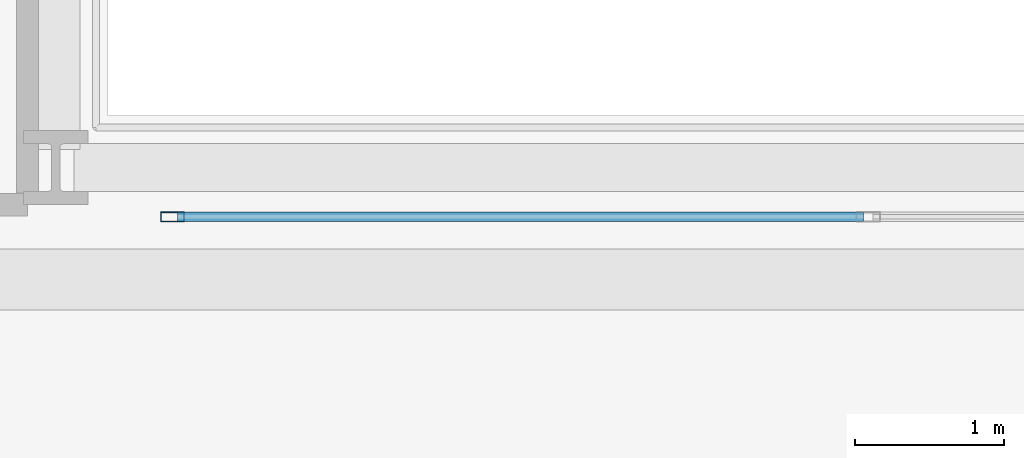
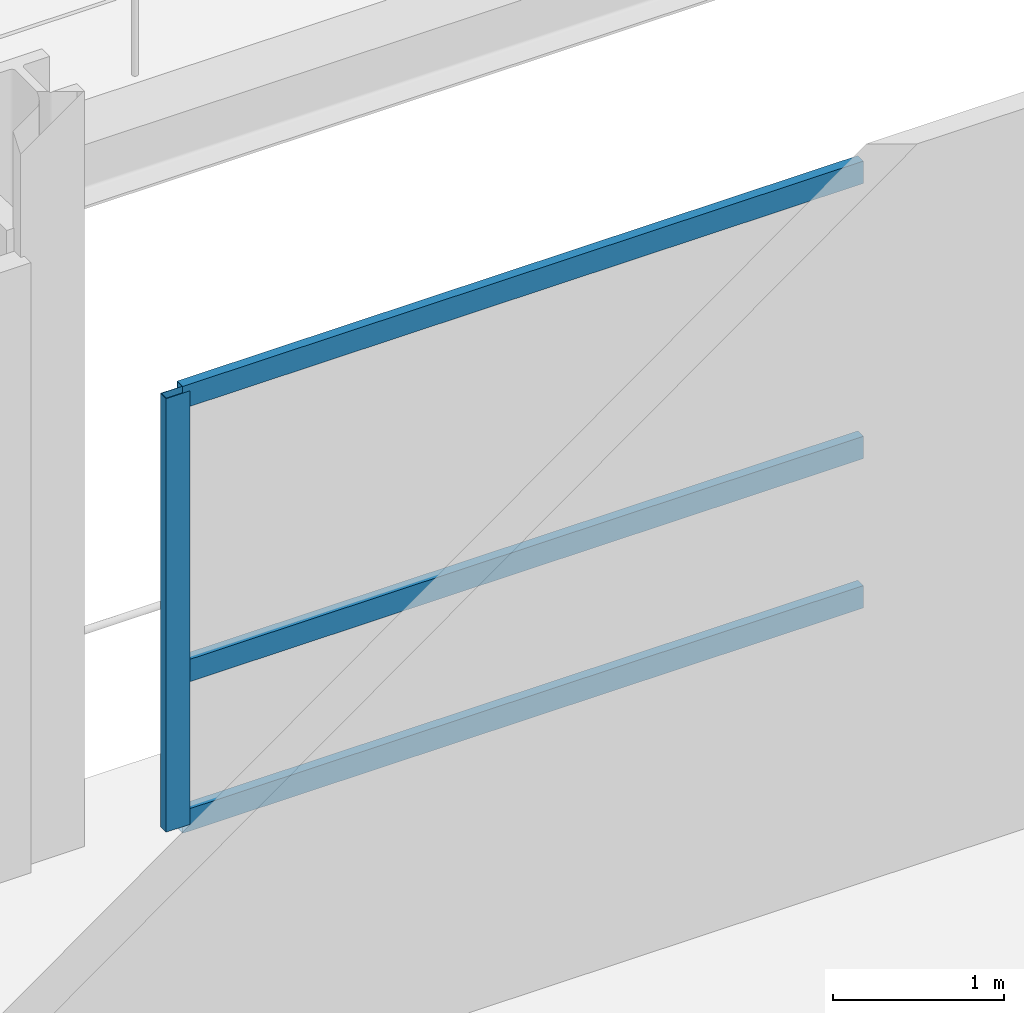
# One storey, part 10 of 31: 4 members, 1 element without a shape of its own.
"""IFC4 building model written with IfcOpenShell, lengths in metres."""

import ifcopenshell
import ifcopenshell.guid

model = None  # the IFC model being written
_history = None  # IfcOwnerHistory: only IFC2X3 demands one
_inside = {}  # id of a spatial element -> (the spatial element, [elements in it])
_under = {}  # id of a project, library or spatial element -> (it, [spatial elements below it])
_declared = {}  # id of a project -> (the project, [libraries it declares])
_typed = {}  # id of a type object -> (the type object, [elements of that type])
_made_of = {}  # id of a material, layer set ... -> (it, [elements and type objects made of it])


def new_model(schema):
    """Start an empty IFC model of exactly this schema.

    Asked for "IFC4X3", IfcOpenShell would pick the latest addendum, in which some entities
    have other attributes; the version numbers below select the first issue.
    IFC2X3 requires an IfcOwnerHistory on every rooted entity: one is made here for all.
    """
    global model, _history
    if schema == "IFC4X3":
        model = ifcopenshell.file(schema_version=(4, 3, 0, 0))
    else:
        model = ifcopenshell.file(schema=schema)
    _inside.clear()
    _under.clear()
    _declared.clear()
    _typed.clear()
    _made_of.clear()
    _history = None
    if model.schema == "IFC2X3":
        org = make("IfcOrganization", Name="unknown")
        user = make(
            "IfcPersonAndOrganization",
            ThePerson=make("IfcPerson", FamilyName="unknown"),
            TheOrganization=org,
        )
        app = make(
            "IfcApplication",
            ApplicationDeveloper=org,
            Version="unknown",
            ApplicationFullName="unknown",
            ApplicationIdentifier="unknown",
        )
        _history = make(
            "IfcOwnerHistory",
            OwningUser=user,
            OwningApplication=app,
            ChangeAction="ADDED",
            CreationDate=0,
        )
    return model


def make(cls, **values):
    """One entity of the class cls with the attributes given. An attribute that is None is left unset."""
    return model.create_entity(
        cls, **{name: value for name, value in values.items() if value is not None}
    )


def rooted(cls, **values):
    """An entity with a GlobalId (a new one), such as an element, a storey or a relation."""
    return make(cls, GlobalId=ifcopenshell.guid.new(), OwnerHistory=_history, **values)


def si_unit(unit_type, name, prefix=None):
    """IfcSIUnit, for example si_unit("LENGTHUNIT", "METRE", prefix="MILLI")."""
    return make("IfcSIUnit", UnitType=unit_type, Prefix=prefix, Name=name)


def assignment(units):
    """IfcUnitAssignment: the units of a project."""
    return None if units is None else make("IfcUnitAssignment", Units=units)


def point(xyz):
    """IfcCartesianPoint."""
    return None if xyz is None else make("IfcCartesianPoint", Coordinates=xyz)


def direction(xyz):
    """IfcDirection."""
    return None if xyz is None else make("IfcDirection", DirectionRatios=xyz)


def frame(location, z_axis=None, x_axis=None):
    """IfcAxis2Placement3D, a coordinate frame: its origin and axes. An axis left out is left unset."""
    return make(
        "IfcAxis2Placement3D",
        Location=point(location),
        Axis=direction(z_axis),
        RefDirection=direction(x_axis),
    )


def frame_2d(location, x_axis=None):
    """IfcAxis2Placement2D, a coordinate frame in the plane: its origin and x axis."""
    return make(
        "IfcAxis2Placement2D", Location=point(location), RefDirection=direction(x_axis)
    )


def origin():
    """The frame at (0, 0, 0) with its axes left unset."""
    return frame((0.0, 0.0, 0.0))


def origin_2d():
    """The frame at (0, 0) in the plane with its x axis left unset."""
    return frame_2d((0.0, 0.0))


def place(relative_to, where):
    """IfcLocalPlacement: puts the frame where relative to a parent placement (None: the world)."""
    return make(
        "IfcLocalPlacement", PlacementRelTo=relative_to, RelativePlacement=where
    )


def context(
    kind, dimensions, precision=None, world=None, true_north=None, identifier=None
):
    """IfcGeometricRepresentationContext, for example the 3D "Model" context."""
    return make(
        "IfcGeometricRepresentationContext",
        ContextIdentifier=identifier,
        ContextType=kind,
        CoordinateSpaceDimension=dimensions,
        Precision=precision,
        WorldCoordinateSystem=world,
        TrueNorth=true_north,
    )


def subcontext(parent, identifier, kind, view, scale=None):
    """IfcGeometricRepresentationSubContext, for example "Body" below "Model"."""
    return make(
        "IfcGeometricRepresentationSubContext",
        ContextIdentifier=identifier,
        ContextType=kind,
        ParentContext=parent,
        TargetScale=scale,
        TargetView=view,
    )


def project(units=None, contexts=None):
    """IfcProject with its units and contexts."""
    return rooted(
        "IfcProject",
        Name="project",
        RepresentationContexts=contexts,
        UnitsInContext=assignment(units),
    )


def spatial(cls, under=None, at=None, **own):
    """A site, building, storey or space (cls), placed at a placement, below another one or the project."""
    s = rooted(cls, ObjectPlacement=at, **own)
    if under is not None:
        _under.setdefault(under.id(), (under, []))[1].append(s)
    return s


def profile(cls, at=None, kind="AREA", **sizes):
    """A parametric profile (cls). Its sizes go by their IFC names, for example OverallWidth=200.0."""
    return make(cls, ProfileType=kind, Position=at, **sizes)


def hollow_rectangle(**sizes):
    """IfcRectangleHollowProfileDef."""
    return profile("IfcRectangleHollowProfileDef", **sizes)


def extrude(swept, where, along, depth):
    """IfcExtrudedAreaSolid: the profile swept, set in the frame where, extruded along a direction by depth."""
    return make(
        "IfcExtrudedAreaSolid",
        SweptArea=swept,
        Position=where,
        ExtrudedDirection=direction(along),
        Depth=depth,
    )


def shape(context_of_items, identifier, shape_type, items):
    """IfcShapeRepresentation: the items that make up one representation, for example the "Body"."""
    return make(
        "IfcShapeRepresentation",
        ContextOfItems=context_of_items,
        RepresentationIdentifier=identifier,
        RepresentationType=shape_type,
        Items=items,
    )


def material(Name=None, Category=None):
    """IfcMaterial."""
    return make("IfcMaterial", Name=Name, Category=Category)


def layer(
    of_material, thickness, ventilated=None, Name=None, Category=None, Priority=None
):
    """IfcMaterialLayer: one layer of a wall or slab, of a material (None: an air gap)."""
    return make(
        "IfcMaterialLayer",
        Material=of_material,
        LayerThickness=thickness,
        IsVentilated=ventilated,
        Name=Name,
        Category=Category,
        Priority=Priority,
    )


def layer_set(layers, Name=None):
    """IfcMaterialLayerSet."""
    return make("IfcMaterialLayerSet", MaterialLayers=layers, LayerSetName=Name)


def material_profile(
    of_material, cross_section, Name=None, Category=None, Priority=None
):
    """IfcMaterialProfile: a cross section and its material."""
    return make(
        "IfcMaterialProfile",
        Name=Name,
        Material=of_material,
        Profile=cross_section,
        Priority=Priority,
        Category=Category,
    )


def profile_set(profiles, Name=None, composite=None):
    """IfcMaterialProfileSet."""
    return make(
        "IfcMaterialProfileSet",
        Name=Name,
        MaterialProfiles=profiles,
        CompositeProfile=composite,
    )


def made_of(thing, what):
    """Note that an element or type object is made of a material, layer set ...; save() writes the relation."""
    if what is not None:
        _made_of.setdefault(what.id(), (what, []))[1].append(thing)
    return thing


def type_object(cls, material=None, **own):
    """A type object (cls), such as IfcWallType, which elements share."""
    return made_of(rooted(cls, **own), material)


def element(
    cls,
    number,
    at=None,
    inside=None,
    cuts=None,
    type_object=None,
    material=None,
    context=None,
    identifier="Body",
    shape_type=None,
    held_by="IfcProductDefinitionShape",
    body=None,
    shapes=None,
    **own,
):
    """One element of the class cls, such as IfcWall. Its Tag is "e" and its number.

    at: its placement. inside: the storey or other place that contains it. cuts: it is an
    opening in that element (IfcRelVoidsElement). A single representation is given by context,
    identifier, shape_type and body (its items); several are given by shapes. held_by: the class
    of the entity that holds the representations. save() writes the other relations.
    """
    e = rooted(cls, Tag="e%d" % number, ObjectPlacement=at, **own)
    if body is not None:
        shapes = [shape(context, identifier, shape_type, body)]
    if shapes is not None:
        e.Representation = make(held_by, Representations=shapes)
    if inside is not None:
        _inside.setdefault(inside.id(), (inside, []))[1].append(e)
    if cuts is not None:
        rooted(
            "IfcRelVoidsElement", RelatingBuildingElement=cuts, RelatedOpeningElement=e
        )
    if type_object is not None:
        _typed.setdefault(type_object.id(), (type_object, []))[1].append(e)
    return made_of(e, material)


def aggregate(whole, parts):
    """IfcRelAggregates: a whole, such as a stair, and the parts it consists of."""
    return rooted("IfcRelAggregates", RelatingObject=whole, RelatedObjects=parts)


def save(model, path):
    """Write the relations noted so far, then the file.

    IfcRelAggregates (storeys below a building ...), IfcRelContainedInSpatialStructure (elements
    in a storey), IfcRelDefinesByType, IfcRelAssociatesMaterial and IfcRelDeclares: one each for
    every whole, place, type object, material and project.
    """
    for whole, parts in _under.values():
        aggregate(whole, parts)
    for where, things in _inside.values():
        rooted(
            "IfcRelContainedInSpatialStructure",
            RelatedElements=things,
            RelatingStructure=where,
        )
    for kind, things in _typed.values():
        rooted("IfcRelDefinesByType", RelatedObjects=things, RelatingType=kind)
    for what, things in _made_of.values():
        rooted("IfcRelAssociatesMaterial", RelatedObjects=things, RelatingMaterial=what)
    for by, libraries in _declared.values():
        rooted("IfcRelDeclares", RelatingContext=by, RelatedDefinitions=libraries)
    model.write(path)


model = new_model("IFC4")

# Units and contexts
model_context = context("Model", 3, precision=1e-05, world=origin(), true_north=direction((0.0, 1.0)))
body_context = subcontext(model_context, "Body", "Model", "MODEL_VIEW")
ifc_project = project(units=[si_unit("LENGTHUNIT", "METRE"), si_unit("AREAUNIT", "SQUARE_METRE"), si_unit("VOLUMEUNIT", "CUBIC_METRE"), si_unit("PLANEANGLEUNIT", "RADIAN"), si_unit("MASSUNIT", "GRAM", prefix="KILO")], contexts=[model_context])

# Site, building, storey
site_placement = place(None, origin())
site = spatial("IfcSite", under=ifc_project, at=site_placement, CompositionType="ELEMENT")
building_placement = place(site_placement, origin())
building = spatial("IfcBuilding", under=site, at=building_placement, Name="Varnelok Gate Tower", CompositionType="ELEMENT")
storey_placement = place(building_placement, frame((0.0, 0.0, 21.60009765625)))
storey = spatial("IfcBuildingStorey", under=building, at=storey_placement, Name="L04", CompositionType="ELEMENT", Elevation=21.60009765625)

# Curtain wall, members
ifc_material = material(Name="Anodized Aluminum Alloy 6063-T6", Category="aluminium")
ifc_layer = layer(ifc_material, 0.179931640625)
ifc_layer_set = layer_set([ifc_layer], Name="Anodized Aluminum Alloy 6063-T6")
curtain_wall_type = type_object("IfcCurtainWallType", Name="CW2-ATRIUM-GLAZING", PredefinedType="USERDEFINED", material=ifc_layer_set)
curtain_wall_placement = place(storey_placement, origin())
curtain_wall = element("IfcCurtainWall", 1, at=curtain_wall_placement, inside=storey, type_object=curtain_wall_type, Name="L04 Internal Atrium Gallery Curtain Wall", ObjectType="UNITISED CURTAIN WALL", PredefinedType="USERDEFINED")
ifc_material_profile_1 = material_profile(ifc_material, hollow_rectangle(XDim=0.06494140625, YDim=0.159912109375, WallThickness=0.00390625, at=origin_2d()), Name="ALU160X65X4")
ifc_profile_set_1 = profile_set([ifc_material_profile_1], Name="Anodized Aluminum Alloy 6063-T6")
member_type_1 = type_object("IfcMemberType", Name="CW-MULL-160", PredefinedType="MULLION", material=ifc_profile_set_1)
member_1_placement = place(storey_placement, frame((34.532470703125, 19.219970703125, 0.0), z_axis=(0.0, 0.0, 1.0), x_axis=(0.0, 1.0, 0.0)))
member_1 = element("IfcMember", 2, at=member_1_placement, type_object=member_type_1, Name="CW2 mullion 1", PredefinedType="MULLION", context=body_context, shape_type="SweptSolid", body=[
    extrude(hollow_rectangle(XDim=0.06494140625, YDim=0.159912109375, WallThickness=0.00390625, at=origin_2d()), origin(), (0.0, 0.0, 1.0), 3.099853515625),
])
ifc_material_profile_2 = material_profile(ifc_material, hollow_rectangle(XDim=0.06494140625, YDim=0.159912109375, WallThickness=0.00390625, at=origin_2d()), Name="ALU160X65X4")
ifc_profile_set_2 = profile_set([ifc_material_profile_2], Name="Anodized Aluminum Alloy 6063-T6")
member_type_2 = type_object("IfcMemberType", Name="CW-TRAN-160", PredefinedType="USERDEFINED", material=ifc_profile_set_2)
member_2_placement = place(storey_placement, frame((34.56494140625, 19.219970703125, 0.032470703125), z_axis=(1.0, 0.0, 0.0), x_axis=(0.0, 1.0, 0.0)))
member_2 = element("IfcMember", 3, at=member_2_placement, type_object=member_type_2, Name="CW2 transom 1.1", ObjectType="TRANSOM", PredefinedType="USERDEFINED", context=body_context, shape_type="SweptSolid", body=[
    extrude(hollow_rectangle(XDim=0.06494140625, YDim=0.159912109375, WallThickness=0.00390625, at=origin_2d()), origin(), (0.0, 0.0, 1.0), 4.6025390625),
])
member_3_placement = place(storey_placement, frame((34.56494140625, 19.219970703125, 1.099853515625), z_axis=(1.0, 0.0, 0.0), x_axis=(0.0, 1.0, 0.0)))
member_3 = element("IfcMember", 4, at=member_3_placement, type_object=member_type_2, Name="CW2 transom 1.2", ObjectType="TRANSOM", PredefinedType="USERDEFINED", context=body_context, shape_type="SweptSolid", body=[
    extrude(hollow_rectangle(XDim=0.06494140625, YDim=0.159912109375, WallThickness=0.00390625, at=origin_2d()), origin(), (0.0, 0.0, 1.0), 4.6025390625),
])
member_4_placement = place(storey_placement, frame((34.56494140625, 19.219970703125, 3.0673828125), z_axis=(1.0, 0.0, 0.0), x_axis=(0.0, 1.0, 0.0)))
member_4 = element("IfcMember", 5, at=member_4_placement, type_object=member_type_2, Name="CW2 transom 1.3", ObjectType="TRANSOM", PredefinedType="USERDEFINED", context=body_context, shape_type="SweptSolid", body=[
    extrude(hollow_rectangle(XDim=0.06494140625, YDim=0.159912109375, WallThickness=0.00390625, at=origin_2d()), origin(), (0.0, 0.0, 1.0), 4.6025390625),
])
aggregate(curtain_wall, [member_1, member_2, member_3, member_4])

save(model, "model.ifc")
